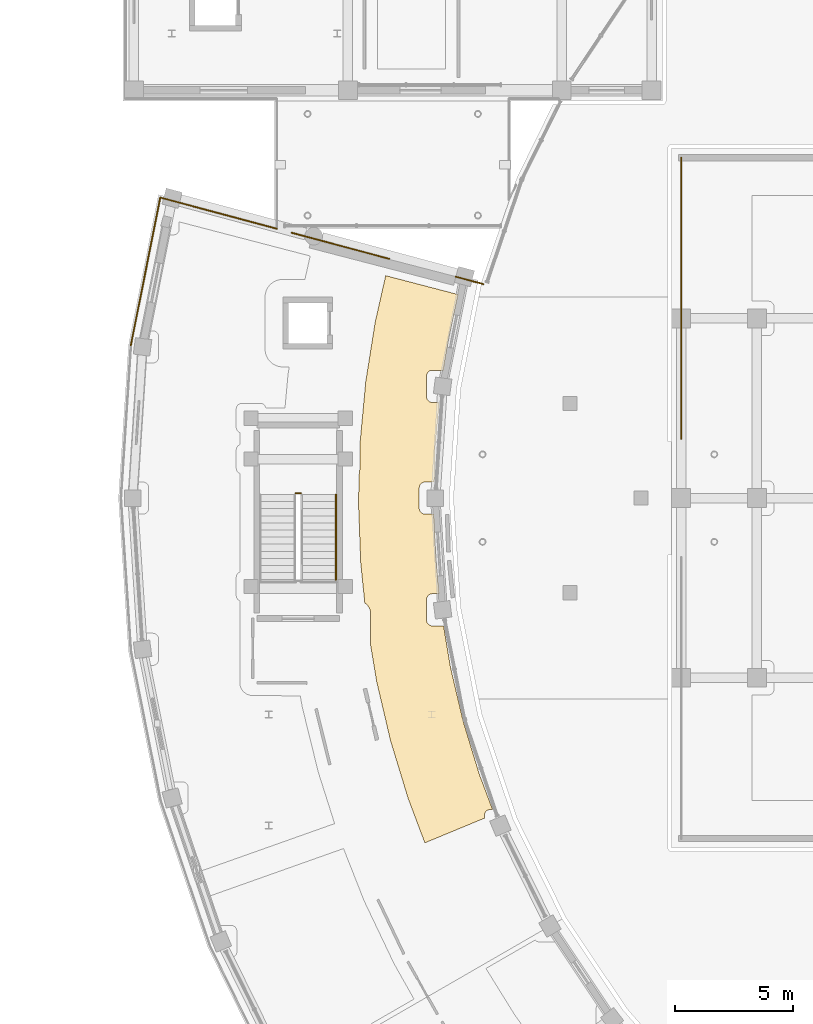
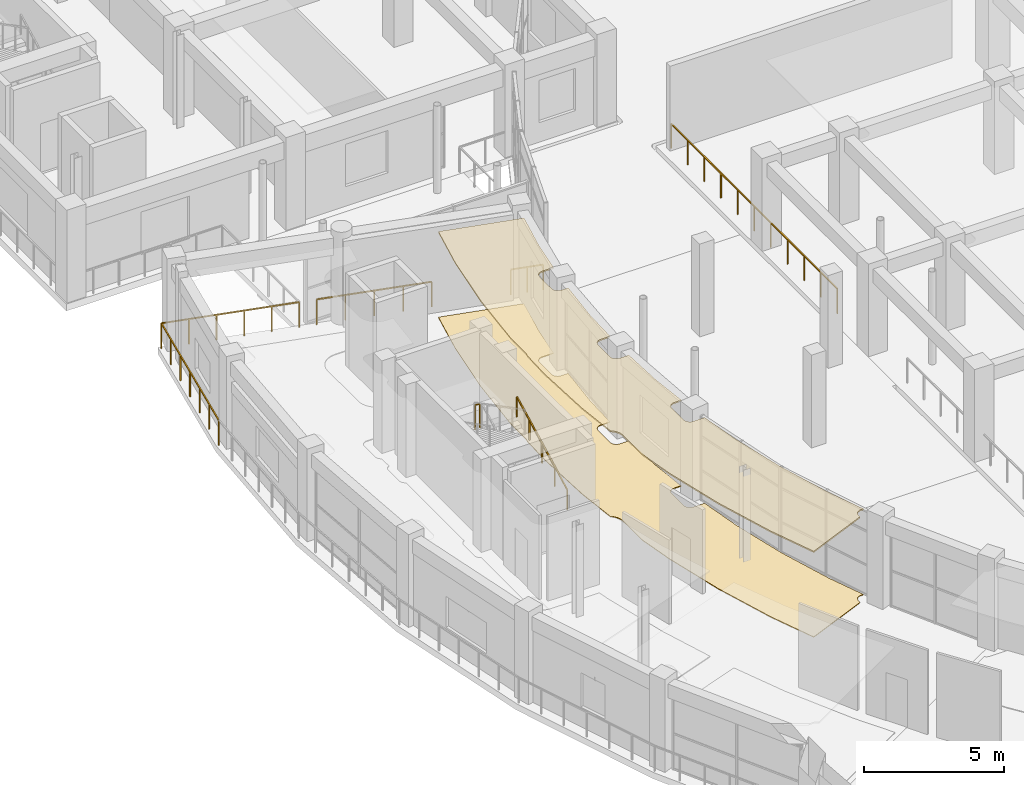
# One storey, part 76 of 87: 7 railings, 2 coverings.
"""IFC4 building model written with IfcOpenShell, lengths in metres."""

import ifcopenshell
import ifcopenshell.guid

model = None  # the IFC model being written
_history = None  # IfcOwnerHistory: only IFC2X3 demands one
_inside = {}  # id of a spatial element -> (the spatial element, [elements in it])
_under = {}  # id of a project, library or spatial element -> (it, [spatial elements below it])
_declared = {}  # id of a project -> (the project, [libraries it declares])
_typed = {}  # id of a type object -> (the type object, [elements of that type])
_made_of = {}  # id of a material, layer set ... -> (it, [elements and type objects made of it])


def new_model(schema):
    """Start an empty IFC model of exactly this schema.

    Asked for "IFC4X3", IfcOpenShell would pick the latest addendum, in which some entities
    have other attributes; the version numbers below select the first issue.
    IFC2X3 requires an IfcOwnerHistory on every rooted entity: one is made here for all.
    """
    global model, _history
    if schema == "IFC4X3":
        model = ifcopenshell.file(schema_version=(4, 3, 0, 0))
    else:
        model = ifcopenshell.file(schema=schema)
    _inside.clear()
    _under.clear()
    _declared.clear()
    _typed.clear()
    _made_of.clear()
    _history = None
    if model.schema == "IFC2X3":
        org = make("IfcOrganization", Name="unknown")
        user = make(
            "IfcPersonAndOrganization",
            ThePerson=make("IfcPerson", FamilyName="unknown"),
            TheOrganization=org,
        )
        app = make(
            "IfcApplication",
            ApplicationDeveloper=org,
            Version="unknown",
            ApplicationFullName="unknown",
            ApplicationIdentifier="unknown",
        )
        _history = make(
            "IfcOwnerHistory",
            OwningUser=user,
            OwningApplication=app,
            ChangeAction="ADDED",
            CreationDate=0,
        )
    return model


def make(cls, **values):
    """One entity of the class cls with the attributes given. An attribute that is None is left unset."""
    return model.create_entity(
        cls, **{name: value for name, value in values.items() if value is not None}
    )


def rooted(cls, **values):
    """An entity with a GlobalId (a new one), such as an element, a storey or a relation."""
    return make(cls, GlobalId=ifcopenshell.guid.new(), OwnerHistory=_history, **values)


def si_unit(unit_type, name, prefix=None):
    """IfcSIUnit, for example si_unit("LENGTHUNIT", "METRE", prefix="MILLI")."""
    return make("IfcSIUnit", UnitType=unit_type, Prefix=prefix, Name=name)


def assignment(units):
    """IfcUnitAssignment: the units of a project."""
    return None if units is None else make("IfcUnitAssignment", Units=units)


def point(xyz):
    """IfcCartesianPoint."""
    return None if xyz is None else make("IfcCartesianPoint", Coordinates=xyz)


def direction(xyz):
    """IfcDirection."""
    return None if xyz is None else make("IfcDirection", DirectionRatios=xyz)


def frame(location, z_axis=None, x_axis=None):
    """IfcAxis2Placement3D, a coordinate frame: its origin and axes. An axis left out is left unset."""
    return make(
        "IfcAxis2Placement3D",
        Location=point(location),
        Axis=direction(z_axis),
        RefDirection=direction(x_axis),
    )


def frame_2d(location, x_axis=None):
    """IfcAxis2Placement2D, a coordinate frame in the plane: its origin and x axis."""
    return make(
        "IfcAxis2Placement2D", Location=point(location), RefDirection=direction(x_axis)
    )


def origin():
    """The frame at (0, 0, 0) with its axes left unset."""
    return frame((0.0, 0.0, 0.0))


def origin_2d():
    """The frame at (0, 0) in the plane with its x axis left unset."""
    return frame_2d((0.0, 0.0))


def place(relative_to, where):
    """IfcLocalPlacement: puts the frame where relative to a parent placement (None: the world)."""
    return make(
        "IfcLocalPlacement", PlacementRelTo=relative_to, RelativePlacement=where
    )


def context(
    kind, dimensions, precision=None, world=None, true_north=None, identifier=None
):
    """IfcGeometricRepresentationContext, for example the 3D "Model" context."""
    return make(
        "IfcGeometricRepresentationContext",
        ContextIdentifier=identifier,
        ContextType=kind,
        CoordinateSpaceDimension=dimensions,
        Precision=precision,
        WorldCoordinateSystem=world,
        TrueNorth=true_north,
    )


def subcontext(parent, identifier, kind, view, scale=None):
    """IfcGeometricRepresentationSubContext, for example "Body" below "Model"."""
    return make(
        "IfcGeometricRepresentationSubContext",
        ContextIdentifier=identifier,
        ContextType=kind,
        ParentContext=parent,
        TargetScale=scale,
        TargetView=view,
    )


def project(units=None, contexts=None):
    """IfcProject with its units and contexts."""
    return rooted(
        "IfcProject",
        Name="project",
        RepresentationContexts=contexts,
        UnitsInContext=assignment(units),
    )


def spatial(cls, under=None, at=None, **own):
    """A site, building, storey or space (cls), placed at a placement, below another one or the project."""
    s = rooted(cls, ObjectPlacement=at, **own)
    if under is not None:
        _under.setdefault(under.id(), (under, []))[1].append(s)
    return s


def polyline(points):
    """IfcPolyline through the points."""
    return make("IfcPolyline", Points=[point(p) for p in points])


def profile(cls, at=None, kind="AREA", **sizes):
    """A parametric profile (cls). Its sizes go by their IFC names, for example OverallWidth=200.0."""
    return make(cls, ProfileType=kind, Position=at, **sizes)


def rectangle(**sizes):
    """IfcRectangleProfileDef."""
    return profile("IfcRectangleProfileDef", **sizes)


def outline(outer, holes=None, kind="AREA"):
    """IfcArbitraryClosedProfileDef: a profile drawn as a closed curve; with holes, ...WithVoids."""
    if holes is None:
        return make("IfcArbitraryClosedProfileDef", ProfileType=kind, OuterCurve=outer)
    return make(
        "IfcArbitraryProfileDefWithVoids",
        ProfileType=kind,
        OuterCurve=outer,
        InnerCurves=holes,
    )


def extrude(swept, where, along, depth):
    """IfcExtrudedAreaSolid: the profile swept, set in the frame where, extruded along a direction by depth."""
    return make(
        "IfcExtrudedAreaSolid",
        SweptArea=swept,
        Position=where,
        ExtrudedDirection=direction(along),
        Depth=depth,
    )


def shape(context_of_items, identifier, shape_type, items):
    """IfcShapeRepresentation: the items that make up one representation, for example the "Body"."""
    return make(
        "IfcShapeRepresentation",
        ContextOfItems=context_of_items,
        RepresentationIdentifier=identifier,
        RepresentationType=shape_type,
        Items=items,
    )


def material(Name=None, Category=None):
    """IfcMaterial."""
    return make("IfcMaterial", Name=Name, Category=Category)


def layer(
    of_material, thickness, ventilated=None, Name=None, Category=None, Priority=None
):
    """IfcMaterialLayer: one layer of a wall or slab, of a material (None: an air gap)."""
    return make(
        "IfcMaterialLayer",
        Material=of_material,
        LayerThickness=thickness,
        IsVentilated=ventilated,
        Name=Name,
        Category=Category,
        Priority=Priority,
    )


def layer_set(layers, Name=None):
    """IfcMaterialLayerSet."""
    return make("IfcMaterialLayerSet", MaterialLayers=layers, LayerSetName=Name)


def made_of(thing, what):
    """Note that an element or type object is made of a material, layer set ...; save() writes the relation."""
    if what is not None:
        _made_of.setdefault(what.id(), (what, []))[1].append(thing)
    return thing


def type_object(cls, material=None, **own):
    """A type object (cls), such as IfcWallType, which elements share."""
    return made_of(rooted(cls, **own), material)


def element(
    cls,
    number,
    at=None,
    inside=None,
    cuts=None,
    type_object=None,
    material=None,
    context=None,
    identifier="Body",
    shape_type=None,
    held_by="IfcProductDefinitionShape",
    body=None,
    shapes=None,
    **own,
):
    """One element of the class cls, such as IfcWall. Its Tag is "e" and its number.

    at: its placement. inside: the storey or other place that contains it. cuts: it is an
    opening in that element (IfcRelVoidsElement). A single representation is given by context,
    identifier, shape_type and body (its items); several are given by shapes. held_by: the class
    of the entity that holds the representations. save() writes the other relations.
    """
    e = rooted(cls, Tag="e%d" % number, ObjectPlacement=at, **own)
    if body is not None:
        shapes = [shape(context, identifier, shape_type, body)]
    if shapes is not None:
        e.Representation = make(held_by, Representations=shapes)
    if inside is not None:
        _inside.setdefault(inside.id(), (inside, []))[1].append(e)
    if cuts is not None:
        rooted(
            "IfcRelVoidsElement", RelatingBuildingElement=cuts, RelatedOpeningElement=e
        )
    if type_object is not None:
        _typed.setdefault(type_object.id(), (type_object, []))[1].append(e)
    return made_of(e, material)


def aggregate(whole, parts):
    """IfcRelAggregates: a whole, such as a stair, and the parts it consists of."""
    return rooted("IfcRelAggregates", RelatingObject=whole, RelatedObjects=parts)


def save(model, path):
    """Write the relations noted so far, then the file.

    IfcRelAggregates (storeys below a building ...), IfcRelContainedInSpatialStructure (elements
    in a storey), IfcRelDefinesByType, IfcRelAssociatesMaterial and IfcRelDeclares: one each for
    every whole, place, type object, material and project.
    """
    for whole, parts in _under.values():
        aggregate(whole, parts)
    for where, things in _inside.values():
        rooted(
            "IfcRelContainedInSpatialStructure",
            RelatedElements=things,
            RelatingStructure=where,
        )
    for kind, things in _typed.values():
        rooted("IfcRelDefinesByType", RelatedObjects=things, RelatingType=kind)
    for what, things in _made_of.values():
        rooted("IfcRelAssociatesMaterial", RelatedObjects=things, RelatingMaterial=what)
    for by, libraries in _declared.values():
        rooted("IfcRelDeclares", RelatingContext=by, RelatedDefinitions=libraries)
    model.write(path)


model = new_model("IFC4")

# Units and contexts
model_context = context("Model", 3, precision=1e-05, world=origin(), true_north=direction((0.0, 1.0)))
body_context = subcontext(model_context, "Body", "Model", "MODEL_VIEW")
ifc_project = project(units=[si_unit("LENGTHUNIT", "METRE"), si_unit("AREAUNIT", "SQUARE_METRE"), si_unit("VOLUMEUNIT", "CUBIC_METRE"), si_unit("PLANEANGLEUNIT", "RADIAN"), si_unit("MASSUNIT", "GRAM", prefix="KILO")], contexts=[model_context])

# Site, building, storey
site_placement = place(None, origin())
site = spatial("IfcSite", under=ifc_project, at=site_placement, CompositionType="ELEMENT")
building_placement = place(site_placement, origin())
building = spatial("IfcBuilding", under=site, at=building_placement, Name="Saryqyr Civic Hall", CompositionType="ELEMENT")
storey_placement = place(building_placement, frame((0.0, 0.0, 5.10009765625)))
storey = spatial("IfcBuildingStorey", under=building, at=storey_placement, Name="L01", CompositionType="ELEMENT", Elevation=5.10009765625)

# Coverings
ifc_material_1 = material(Name="Mineral-fibre acoustic ceiling tile", Category="acoustic_tile")
ifc_layer_1 = layer(ifc_material_1, 0.06005859375, Name="Mineral-fibre acoustic ceiling tile")
ifc_layer_set_1 = layer_set([ifc_layer_1], Name="Mineral-fibre acoustic ceiling tile")
covering_type_1 = type_object("IfcCoveringType", Name="INT-COV-CEIL-60", PredefinedType="CEILING", material=ifc_layer_set_1)
covering_1_placement = place(storey_placement, frame((0.0, 0.0, 3.7099609375)))
element("IfcCovering", 1, at=covering_1_placement, inside=storey, type_object=covering_type_1, Name="Acoustic ceiling Vital Records Registration Office", PredefinedType="CEILING", context=body_context, shape_type="SweptSolid", body=[
    extrude(outline(polyline([(17.587646484375, 85.1474609375), (17.590576171875, 85.152099609375), (17.60107421875, 85.17431640625), (17.609130859375, 85.197509765625), (17.615234375, 85.22119140625), (17.618896484375, 85.24560546875), (17.6201171875, 85.27001953125), (17.6201171875, 86.030029296875), (17.618896484375, 86.054443359375), (17.615234375, 86.078857421875), (17.614013671875, 86.08349609375), (17.62255859375, 86.3876953125), (17.859619140625, 88.9306640625), (18.2607421875, 91.452880859375), (18.70263671875, 93.407470703125), (21.779541015625, 92.60595703125), (21.38671875, 90.86962890625), (21.380126953125, 90.834716796875), (21.15283203125, 89.405029296875), (20.6796875, 89.405029296875), (20.6552734375, 89.40380859375), (20.630859375, 89.400146484375), (20.607177734375, 89.394287109375), (20.583984375, 89.385986328125), (20.56201171875, 89.37548828125), (20.540771484375, 89.36279296875), (20.52099609375, 89.348388671875), (20.5029296875, 89.331787109375), (20.486328125, 89.313720703125), (20.4716796875, 89.2939453125), (20.459228515625, 89.272705078125), (20.44873046875, 89.250732421875), (20.4404296875, 89.2275390625), (20.4345703125, 89.203857421875), (20.430908203125, 89.179443359375), (20.4296875, 89.155029296875), (20.4296875, 88.294921875), (20.430908203125, 88.2705078125), (20.4345703125, 88.24609375), (20.4404296875, 88.222412109375), (20.44873046875, 88.19921875), (20.459228515625, 88.17724609375), (20.4716796875, 88.156005859375), (20.486328125, 88.136474609375), (20.5029296875, 88.1181640625), (20.52099609375, 88.101806640625), (20.540771484375, 88.087158203125), (20.56201171875, 88.074462890625), (20.583984375, 88.06396484375), (20.607177734375, 88.055908203125), (20.630859375, 88.0498046875), (20.6552734375, 88.046142578125), (20.6796875, 88.044921875), (20.968505859375, 88.044921875), (20.7978515625, 86.212890625), (20.795654296875, 86.177490234375), (20.75341796875, 84.679931640625), (20.3701171875, 84.679931640625), (20.345458984375, 84.6787109375), (20.3212890625, 84.67529296875), (20.29736328125, 84.669189453125), (20.2744140625, 84.660888671875), (20.252197265625, 84.650390625), (20.231201171875, 84.637939453125), (20.21142578125, 84.623291015625), (20.193115234375, 84.606689453125), (20.1767578125, 84.588623046875), (20.162109375, 84.56884765625), (20.1494140625, 84.5478515625), (20.138916015625, 84.525634765625), (20.130859375, 84.502685546875), (20.124755859375, 84.478759765625), (20.12109375, 84.45458984375), (20.1201171875, 84.429931640625), (20.1201171875, 83.570068359375), (20.12109375, 83.54541015625), (20.124755859375, 83.521240234375), (20.130859375, 83.497314453125), (20.138916015625, 83.474365234375), (20.1494140625, 83.4521484375), (20.162109375, 83.43115234375), (20.1767578125, 83.411376953125), (20.193115234375, 83.393310546875), (20.21142578125, 83.376708984375), (20.231201171875, 83.362060546875), (20.252197265625, 83.349609375), (20.2744140625, 83.339111328125), (20.29736328125, 83.330810546875), (20.3212890625, 83.32470703125), (20.345458984375, 83.3212890625), (20.3701171875, 83.320068359375), (20.749267578125, 83.320068359375), (20.815185546875, 81.519287109375), (20.817626953125, 81.48388671875), (20.97314453125, 79.955078125), (20.6796875, 79.955078125), (20.6552734375, 79.953857421875), (20.630859375, 79.9501953125), (20.607177734375, 79.944091796875), (20.583984375, 79.93603515625), (20.56201171875, 79.925537109375), (20.540771484375, 79.912841796875), (20.52099609375, 79.898193359375), (20.5029296875, 79.8818359375), (20.486328125, 79.863525390625), (20.4716796875, 79.843994140625), (20.459228515625, 79.82275390625), (20.44873046875, 79.80078125), (20.4404296875, 79.777587890625), (20.4345703125, 79.75390625), (20.430908203125, 79.7294921875), (20.4296875, 79.705078125), (20.4296875, 78.844970703125), (20.430908203125, 78.820556640625), (20.4345703125, 78.796142578125), (20.4404296875, 78.7724609375), (20.44873046875, 78.749267578125), (20.459228515625, 78.727294921875), (20.4716796875, 78.7060546875), (20.486328125, 78.686279296875), (20.5029296875, 78.668212890625), (20.52099609375, 78.651611328125), (20.540771484375, 78.63720703125), (20.56201171875, 78.62451171875), (20.583984375, 78.614013671875), (20.607177734375, 78.605712890625), (20.630859375, 78.599853515625), (20.6552734375, 78.59619140625), (20.6796875, 78.594970703125), (21.14892578125, 78.594970703125), (21.438720703125, 76.8671875), (21.445556640625, 76.832275390625), (21.974609375, 74.5810546875), (21.98388671875, 74.546630859375), (22.65771484375, 72.33447265625), (22.6689453125, 72.30078125), (23.224365234375, 70.826904296875), (23.12548828125, 70.826904296875), (23.10107421875, 70.82568359375), (23.076904296875, 70.822021484375), (23.052978515625, 70.816162109375), (23.02978515625, 70.807861328125), (23.0078125, 70.79736328125), (22.98681640625, 70.784912109375), (22.967041015625, 70.770263671875), (22.94873046875, 70.753662109375), (22.932373046875, 70.735595703125), (22.917724609375, 70.7158203125), (22.905029296875, 70.694580078125), (22.89453125, 70.672607421875), (22.886474609375, 70.6494140625), (22.88037109375, 70.625732421875), (22.876708984375, 70.601318359375), (22.87548828125, 70.576904296875), (22.87548828125, 70.46044921875), (20.359130859375, 69.418212890625), (19.65283203125, 71.293212890625), (18.90869140625, 73.736572265625), (18.324462890625, 76.22265625), (18.070068359375, 77.740966796875), (18.06982421875, 79.10205078125), (18.067138671875, 79.15625), (18.05908203125, 79.210205078125), (18.0458984375, 79.262939453125), (18.02734375, 79.314208984375), (18.00390625, 79.36328125), (17.9755859375, 79.40966796875), (17.943115234375, 79.453369140625), (17.90625, 79.493408203125), (17.86572265625, 79.529541015625), (17.82177734375, 79.561767578125), (17.818603515625, 79.5634765625), (17.64404296875, 81.282470703125), (17.55078125, 83.834716796875), (17.587646484375, 85.1474609375)])), origin(), (0.0, 0.0, 1.0), 0.06005859375),
])
ifc_material_2 = material(Name="Polished terrazzo tile", Category="stone")
ifc_layer_2 = layer(ifc_material_2, 0.030029296875, Name="Polished terrazzo tile")
ifc_layer_set_2 = layer_set([ifc_layer_2], Name="Polished terrazzo tile")
covering_type_2 = type_object("IfcCoveringType", Name="INT-COV-FLR-30", PredefinedType="FLOORING", material=ifc_layer_set_2)
covering_2_placement = place(storey_placement, origin())
element("IfcCovering", 2, at=covering_2_placement, inside=storey, type_object=covering_type_2, Name="Polished terrazzo flooring Vital Records Registration Office", PredefinedType="FLOORING", context=body_context, shape_type="SweptSolid", body=[
    extrude(outline(polyline([(17.587646484375, 85.1474609375), (17.590576171875, 85.152099609375), (17.60107421875, 85.17431640625), (17.609130859375, 85.197509765625), (17.615234375, 85.22119140625), (17.618896484375, 85.24560546875), (17.6201171875, 85.27001953125), (17.6201171875, 86.030029296875), (17.618896484375, 86.054443359375), (17.615234375, 86.078857421875), (17.614013671875, 86.08349609375), (17.62255859375, 86.3876953125), (17.859619140625, 88.9306640625), (18.2607421875, 91.452880859375), (18.70263671875, 93.407470703125), (21.779541015625, 92.60595703125), (21.38671875, 90.86962890625), (21.380126953125, 90.834716796875), (21.15283203125, 89.405029296875), (20.6796875, 89.405029296875), (20.6552734375, 89.40380859375), (20.630859375, 89.400146484375), (20.607177734375, 89.394287109375), (20.583984375, 89.385986328125), (20.56201171875, 89.37548828125), (20.540771484375, 89.36279296875), (20.52099609375, 89.348388671875), (20.5029296875, 89.331787109375), (20.486328125, 89.313720703125), (20.4716796875, 89.2939453125), (20.459228515625, 89.272705078125), (20.44873046875, 89.250732421875), (20.4404296875, 89.2275390625), (20.4345703125, 89.203857421875), (20.430908203125, 89.179443359375), (20.4296875, 89.155029296875), (20.4296875, 88.294921875), (20.430908203125, 88.2705078125), (20.4345703125, 88.24609375), (20.4404296875, 88.222412109375), (20.44873046875, 88.19921875), (20.459228515625, 88.17724609375), (20.4716796875, 88.156005859375), (20.486328125, 88.136474609375), (20.5029296875, 88.1181640625), (20.52099609375, 88.101806640625), (20.540771484375, 88.087158203125), (20.56201171875, 88.074462890625), (20.583984375, 88.06396484375), (20.607177734375, 88.055908203125), (20.630859375, 88.0498046875), (20.6552734375, 88.046142578125), (20.6796875, 88.044921875), (20.968505859375, 88.044921875), (20.7978515625, 86.212890625), (20.795654296875, 86.177490234375), (20.75341796875, 84.679931640625), (20.3701171875, 84.679931640625), (20.345458984375, 84.6787109375), (20.3212890625, 84.67529296875), (20.29736328125, 84.669189453125), (20.2744140625, 84.660888671875), (20.252197265625, 84.650390625), (20.231201171875, 84.637939453125), (20.21142578125, 84.623291015625), (20.193115234375, 84.606689453125), (20.1767578125, 84.588623046875), (20.162109375, 84.56884765625), (20.1494140625, 84.5478515625), (20.138916015625, 84.525634765625), (20.130859375, 84.502685546875), (20.124755859375, 84.478759765625), (20.12109375, 84.45458984375), (20.1201171875, 84.429931640625), (20.1201171875, 83.570068359375), (20.12109375, 83.54541015625), (20.124755859375, 83.521240234375), (20.130859375, 83.497314453125), (20.138916015625, 83.474365234375), (20.1494140625, 83.4521484375), (20.162109375, 83.43115234375), (20.1767578125, 83.411376953125), (20.193115234375, 83.393310546875), (20.21142578125, 83.376708984375), (20.231201171875, 83.362060546875), (20.252197265625, 83.349609375), (20.2744140625, 83.339111328125), (20.29736328125, 83.330810546875), (20.3212890625, 83.32470703125), (20.345458984375, 83.3212890625), (20.3701171875, 83.320068359375), (20.749267578125, 83.320068359375), (20.815185546875, 81.519287109375), (20.817626953125, 81.48388671875), (20.97314453125, 79.955078125), (20.6796875, 79.955078125), (20.6552734375, 79.953857421875), (20.630859375, 79.9501953125), (20.607177734375, 79.944091796875), (20.583984375, 79.93603515625), (20.56201171875, 79.925537109375), (20.540771484375, 79.912841796875), (20.52099609375, 79.898193359375), (20.5029296875, 79.8818359375), (20.486328125, 79.863525390625), (20.4716796875, 79.843994140625), (20.459228515625, 79.82275390625), (20.44873046875, 79.80078125), (20.4404296875, 79.777587890625), (20.4345703125, 79.75390625), (20.430908203125, 79.7294921875), (20.4296875, 79.705078125), (20.4296875, 78.844970703125), (20.430908203125, 78.820556640625), (20.4345703125, 78.796142578125), (20.4404296875, 78.7724609375), (20.44873046875, 78.749267578125), (20.459228515625, 78.727294921875), (20.4716796875, 78.7060546875), (20.486328125, 78.686279296875), (20.5029296875, 78.668212890625), (20.52099609375, 78.651611328125), (20.540771484375, 78.63720703125), (20.56201171875, 78.62451171875), (20.583984375, 78.614013671875), (20.607177734375, 78.605712890625), (20.630859375, 78.599853515625), (20.6552734375, 78.59619140625), (20.6796875, 78.594970703125), (21.14892578125, 78.594970703125), (21.438720703125, 76.8671875), (21.445556640625, 76.832275390625), (21.974609375, 74.5810546875), (21.98388671875, 74.546630859375), (22.65771484375, 72.33447265625), (22.6689453125, 72.30078125), (23.224365234375, 70.826904296875), (23.12548828125, 70.826904296875), (23.10107421875, 70.82568359375), (23.076904296875, 70.822021484375), (23.052978515625, 70.816162109375), (23.02978515625, 70.807861328125), (23.0078125, 70.79736328125), (22.98681640625, 70.784912109375), (22.967041015625, 70.770263671875), (22.94873046875, 70.753662109375), (22.932373046875, 70.735595703125), (22.917724609375, 70.7158203125), (22.905029296875, 70.694580078125), (22.89453125, 70.672607421875), (22.886474609375, 70.6494140625), (22.88037109375, 70.625732421875), (22.876708984375, 70.601318359375), (22.87548828125, 70.576904296875), (22.87548828125, 70.46044921875), (20.359130859375, 69.418212890625), (19.65283203125, 71.293212890625), (18.90869140625, 73.736572265625), (18.324462890625, 76.22265625), (18.070068359375, 77.740966796875), (18.06982421875, 79.10205078125), (18.067138671875, 79.15625), (18.05908203125, 79.210205078125), (18.0458984375, 79.262939453125), (18.02734375, 79.314208984375), (18.00390625, 79.36328125), (17.9755859375, 79.40966796875), (17.943115234375, 79.453369140625), (17.90625, 79.493408203125), (17.86572265625, 79.529541015625), (17.82177734375, 79.561767578125), (17.818603515625, 79.5634765625), (17.64404296875, 81.282470703125), (17.55078125, 83.834716796875), (17.587646484375, 85.1474609375)])), origin(), (0.0, 0.0, 1.0), 0.02978515625),
])

# Railings
ifc_material_3 = material(Name="Warm brushed brass and laminated glass", Category="glass")
ifc_layer_3 = layer(ifc_material_3, 0.06005859375, Name="Warm brushed brass and laminated glass")
ifc_layer_set_3 = layer_set([ifc_layer_3], Name="Warm brushed brass and laminated glass")
railing_type_1 = type_object("IfcRailingType", Name="INT-RLG-BAL-1100", PredefinedType="BALUSTRADE", material=ifc_layer_set_3)
railing_1_placement = place(storey_placement, frame((31.199951171875, 86.5, 0.0)))
element("IfcRailing", 3, at=railing_1_placement, inside=storey, type_object=railing_type_1, Name="Perimeter safety balustrade V1-JNTGB-L01-02-G01", PredefinedType="BALUSTRADE", context=body_context, shape_type="SweptSolid", body=[
    extrude(rectangle(XDim=0.048095703125, YDim=0.048095703125, at=origin_2d()), frame((0.0, 0.0, 1.076171875), z_axis=(0.0, 1.0, 0.0), x_axis=(-1.0, 0.0, 0.0)), (0.0, 0.0, 1.0), 11.89990234375),
    extrude(rectangle(XDim=0.0419921875, YDim=0.0419921875, at=origin_2d()), origin(), (0.0, 0.0, 1.0), 1.052001953125),
    extrude(rectangle(XDim=0.0419921875, YDim=0.0419921875, at=origin_2d()), frame((0.0, 1.18994140625, 0.0)), (0.0, 0.0, 1.0), 1.052001953125),
    extrude(rectangle(XDim=0.0419921875, YDim=0.0419921875, at=origin_2d()), frame((0.0, 2.3798828125, 0.0)), (0.0, 0.0, 1.0), 1.052001953125),
    extrude(rectangle(XDim=0.0419921875, YDim=0.0419921875, at=origin_2d()), frame((0.0, 3.570068359375, 0.0)), (0.0, 0.0, 1.0), 1.052001953125),
    extrude(rectangle(XDim=0.0419921875, YDim=0.0419921875, at=origin_2d()), frame((0.0, 4.760009765625, 0.0)), (0.0, 0.0, 1.0), 1.052001953125),
    extrude(rectangle(XDim=0.0419921875, YDim=0.0419921875, at=origin_2d()), frame((0.0, 5.949951171875, 0.0)), (0.0, 0.0, 1.0), 1.052001953125),
    extrude(rectangle(XDim=0.0419921875, YDim=0.0419921875, at=origin_2d()), frame((0.0, 7.139892578125, 0.0)), (0.0, 0.0, 1.0), 1.052001953125),
    extrude(rectangle(XDim=0.0419921875, YDim=0.0419921875, at=origin_2d()), frame((0.0, 8.329833984375, 0.0)), (0.0, 0.0, 1.0), 1.052001953125),
    extrude(rectangle(XDim=0.0419921875, YDim=0.0419921875, at=origin_2d()), frame((0.0, 9.52001953125, 0.0)), (0.0, 0.0, 1.0), 1.052001953125),
    extrude(rectangle(XDim=0.0419921875, YDim=0.0419921875, at=origin_2d()), frame((0.0, 10.7099609375, 0.0)), (0.0, 0.0, 1.0), 1.052001953125),
    extrude(rectangle(XDim=0.0419921875, YDim=0.0419921875, at=origin_2d()), frame((0.0, 11.89990234375, 0.0)), (0.0, 0.0, 1.0), 1.052001953125),
])
railing_2_placement = place(storey_placement, frame((15.10009765625, 84.199951171875, 2.02490234375)))
element("IfcRailing", 4, at=railing_2_placement, inside=storey, type_object=railing_type_1, Name="L01 ST-4 stair guard 2", PredefinedType="BALUSTRADE", context=body_context, shape_type="SweptSolid", body=[
    extrude(rectangle(XDim=0.048095703125, YDim=0.048095703125, at=origin_2d()), frame((0.0, 0.0, 1.076171875), z_axis=(-1.0, 0.0, 0.0), x_axis=(0.0, -1.0, 0.0)), (0.0, 0.0, 1.0), 0.2001953125),
    extrude(rectangle(XDim=0.0419921875, YDim=0.0419921875, at=origin_2d()), origin(), (0.0, 0.0, 1.0), 1.052001953125),
    extrude(rectangle(XDim=0.0419921875, YDim=0.0419921875, at=origin_2d()), frame((-0.2001953125, 0.0, 0.0)), (0.0, 0.0, 1.0), 1.052001953125),
])
railing_3_placement = place(storey_placement, frame((7.923583984375, 90.4609375, 0.0)))
element("IfcRailing", 5, at=railing_3_placement, inside=storey, type_object=railing_type_1, Name="Interior deck safety balustrade L01-017", PredefinedType="BALUSTRADE", context=body_context, shape_type="SweptSolid", body=[
    extrude(rectangle(XDim=0.048095703125, YDim=0.048095703125, at=origin_2d()), frame((0.0, 0.0, 1.09619140625), z_axis=(0.195092281348, 0.980784890666, 0.0), x_axis=(-0.980784890666, 0.195092281348, 0.0)), (0.0, 0.0, 1.0), 6.374755859375),
    extrude(rectangle(XDim=0.0419921875, YDim=0.0419921875, at=origin_2d()), origin(), (0.0, 0.0, 1.0), 1.072021484375),
    extrude(rectangle(XDim=0.0419921875, YDim=0.0419921875, at=origin_2d()), frame((0.207275390625, 1.0419921875, 0.0)), (0.0, 0.0, 1.0), 1.072021484375),
    extrude(rectangle(XDim=0.0419921875, YDim=0.0419921875, at=origin_2d()), frame((0.41455078125, 2.083984375, 0.0)), (0.0, 0.0, 1.0), 1.072021484375),
    extrude(rectangle(XDim=0.0419921875, YDim=0.0419921875, at=origin_2d()), frame((0.621826171875, 3.1259765625, 0.0)), (0.0, 0.0, 1.0), 1.072021484375),
    extrude(rectangle(XDim=0.0419921875, YDim=0.0419921875, at=origin_2d()), frame((0.8291015625, 4.168212890625, 0.0)), (0.0, 0.0, 1.0), 1.072021484375),
    extrude(rectangle(XDim=0.0419921875, YDim=0.0419921875, at=origin_2d()), frame((1.036376953125, 5.210205078125, 0.0)), (0.0, 0.0, 1.0), 1.072021484375),
    extrude(rectangle(XDim=0.0419921875, YDim=0.0419921875, at=origin_2d()), frame((1.24365234375, 6.252197265625, 0.0)), (0.0, 0.0, 1.0), 1.072021484375),
])
railing_4_placement = place(storey_placement, frame((9.167236328125, 96.713134765625, 0.0)))
element("IfcRailing", 6, at=railing_4_placement, inside=storey, type_object=railing_type_1, Name="Interior deck safety balustrade L01-018", PredefinedType="BALUSTRADE", context=body_context, shape_type="SweptSolid", body=[
    extrude(rectangle(XDim=0.048095703125, YDim=0.048095703125, at=origin_2d()), frame((0.0, 0.0, 1.09619140625), z_axis=(0.965936742512, -0.258778301768, 0.0), x_axis=(0.258778301768, 0.965936742512, 0.0)), (0.0, 0.0, 1.0), 5.10693359375),
    extrude(rectangle(XDim=0.0419921875, YDim=0.0419921875, at=origin_2d()), origin(), (0.0, 0.0, 1.0), 1.072021484375),
    extrude(rectangle(XDim=0.0419921875, YDim=0.0419921875, at=origin_2d()), frame((0.986572265625, -0.264404296875, 0.0)), (0.0, 0.0, 1.0), 1.072021484375),
    extrude(rectangle(XDim=0.0419921875, YDim=0.0419921875, at=origin_2d()), frame((1.97314453125, -0.528564453125, 0.0)), (0.0, 0.0, 1.0), 1.072021484375),
    extrude(rectangle(XDim=0.0419921875, YDim=0.0419921875, at=origin_2d()), frame((2.959716796875, -0.79296875, 0.0)), (0.0, 0.0, 1.0), 1.072021484375),
    extrude(rectangle(XDim=0.0419921875, YDim=0.0419921875, at=origin_2d()), frame((3.9462890625, -1.05712890625, 0.0)), (0.0, 0.0, 1.0), 1.072021484375),
    extrude(rectangle(XDim=0.0419921875, YDim=0.0419921875, at=origin_2d()), frame((4.932861328125, -1.321533203125, 0.0)), (0.0, 0.0, 1.0), 1.072021484375),
])
railing_5_placement = place(storey_placement, frame((14.719970703125, 95.225341796875, 0.0)))
element("IfcRailing", 7, at=railing_5_placement, inside=storey, type_object=railing_type_1, Name="Interior deck safety balustrade L01-085", PredefinedType="BALUSTRADE", context=body_context, shape_type="SweptSolid", body=[
    extrude(rectangle(XDim=0.048095703125, YDim=0.048095703125, at=origin_2d()), frame((0.0, 0.0, 1.09619140625), z_axis=(0.965924072529, -0.258825590136, 0.0), x_axis=(0.258825590136, 0.965924072529, 0.0)), (0.0, 0.0, 1.0), 4.27197265625),
    extrude(rectangle(XDim=0.0419921875, YDim=0.0419921875, at=origin_2d()), origin(), (0.0, 0.0, 1.0), 1.072021484375),
    extrude(rectangle(XDim=0.0419921875, YDim=0.0419921875, at=origin_2d()), frame((1.03173828125, -0.2763671875, 0.0)), (0.0, 0.0, 1.0), 1.072021484375),
    extrude(rectangle(XDim=0.0419921875, YDim=0.0419921875, at=origin_2d()), frame((2.063232421875, -0.552734375, 0.0)), (0.0, 0.0, 1.0), 1.072021484375),
    extrude(rectangle(XDim=0.0419921875, YDim=0.0419921875, at=origin_2d()), frame((3.0947265625, -0.829345703125, 0.0)), (0.0, 0.0, 1.0), 1.072021484375),
    extrude(rectangle(XDim=0.0419921875, YDim=0.0419921875, at=origin_2d()), frame((4.12646484375, -1.105712890625, 0.0)), (0.0, 0.0, 1.0), 1.072021484375),
])
railing_6_placement = place(storey_placement, frame((21.669189453125, 93.36328125, 0.0)))
element("IfcRailing", 8, at=railing_6_placement, inside=storey, type_object=railing_type_1, Name="Interior deck safety balustrade L01-086", PredefinedType="BALUSTRADE", context=body_context, shape_type="SweptSolid", body=[
    extrude(rectangle(XDim=0.048095703125, YDim=0.048095703125, at=origin_2d()), frame((0.0, 0.0, 1.09619140625), z_axis=(0.965951671057, -0.258722571845, 0.0), x_axis=(0.258722571845, 0.965951671057, 0.0)), (0.0, 0.0, 1.0), 1.2041015625),
    extrude(rectangle(XDim=0.0419921875, YDim=0.0419921875, at=origin_2d()), origin(), (0.0, 0.0, 1.0), 1.072021484375),
    extrude(rectangle(XDim=0.0419921875, YDim=0.0419921875, at=origin_2d()), frame((0.58154296875, -0.15576171875, 0.0)), (0.0, 0.0, 1.0), 1.072021484375),
    extrude(rectangle(XDim=0.0419921875, YDim=0.0419921875, at=origin_2d()), frame((1.1630859375, -0.3115234375, 0.0)), (0.0, 0.0, 1.0), 1.072021484375),
])
ifc_material_4 = material(Name="Stainless steel", Category="steel")
ifc_layer_4 = layer(ifc_material_4, 0.050048828125, Name="Stainless steel")
ifc_layer_set_4 = layer_set([ifc_layer_4], Name="Stainless steel")
railing_type_2 = type_object("IfcRailingType", Name="INT-RLG-HND-900", PredefinedType="HANDRAIL", material=ifc_layer_set_4)
railing_7_placement = place(storey_placement, frame((16.60009765625, 80.550048828125, 0.15576171875)))
element("IfcRailing", 9, at=railing_7_placement, inside=storey, type_object=railing_type_2, Name="L01 ST-4 stair handrail 1", PredefinedType="HANDRAIL", context=body_context, shape_type="SweptSolid", body=[
    extrude(rectangle(XDim=0.048095703125, YDim=0.048095703125, at=origin_2d()), frame((0.0, 0.0, 0.8759765625), z_axis=(0.0, 0.887497496945, 0.460812535545), x_axis=(-1.0, 0.0, 0.0)), (0.0, 0.0, 1.0), 4.05615234375),
    extrude(rectangle(XDim=0.0419921875, YDim=0.0419921875, at=origin_2d()), origin(), (0.0, 0.0, 1.0), 0.851806640625),
    extrude(rectangle(XDim=0.0419921875, YDim=0.0419921875, at=origin_2d()), frame((0.0, 0.89990234375, 0.46728515625)), (0.0, 0.0, 1.0), 0.851806640625),
    extrude(rectangle(XDim=0.0419921875, YDim=0.0419921875, at=origin_2d()), frame((0.0, 1.7998046875, 0.9345703125)), (0.0, 0.0, 1.0), 0.851806640625),
    extrude(rectangle(XDim=0.0419921875, YDim=0.0419921875, at=origin_2d()), frame((0.0, 2.699951171875, 1.40185546875)), (0.0, 0.0, 1.0), 0.851806640625),
    extrude(rectangle(XDim=0.0419921875, YDim=0.0419921875, at=origin_2d()), frame((0.0, 3.599853515625, 1.869140625)), (0.0, 0.0, 1.0), 0.851806640625),
])

save(model, "model.ifc")
